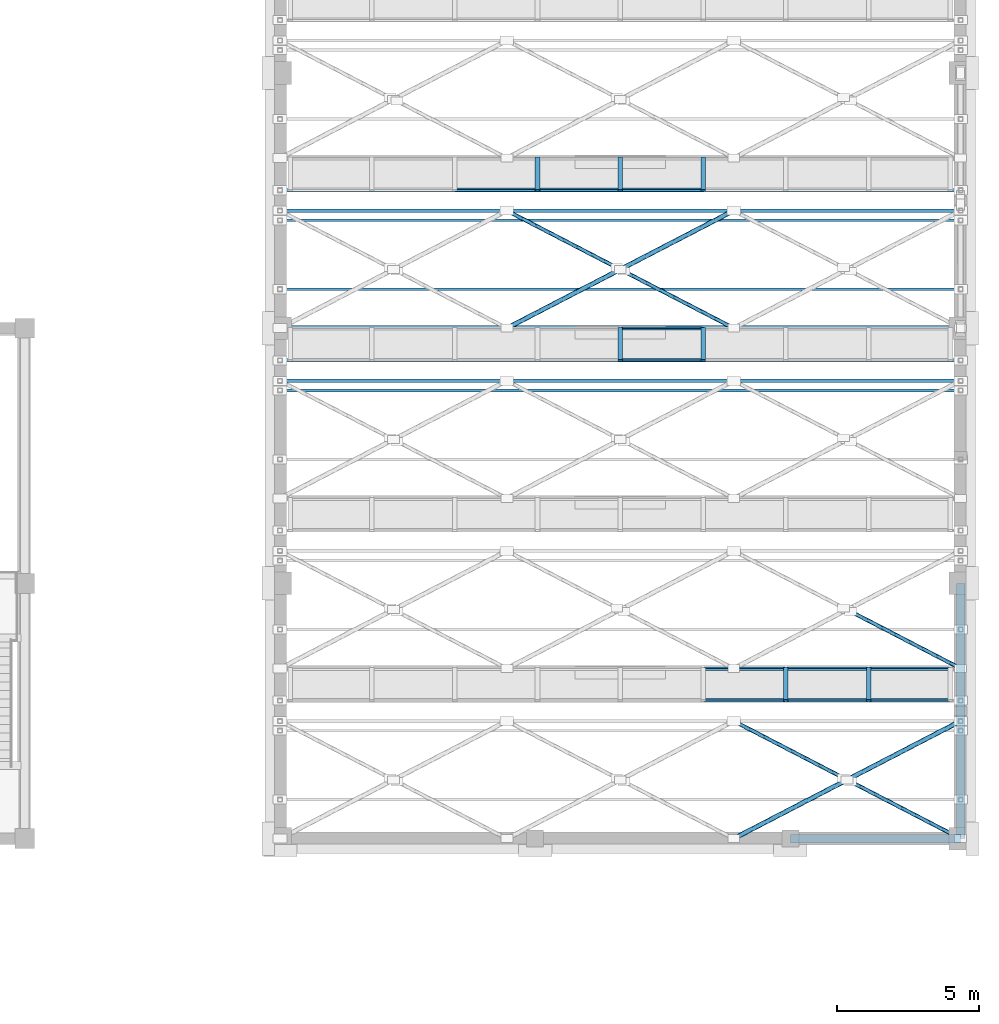
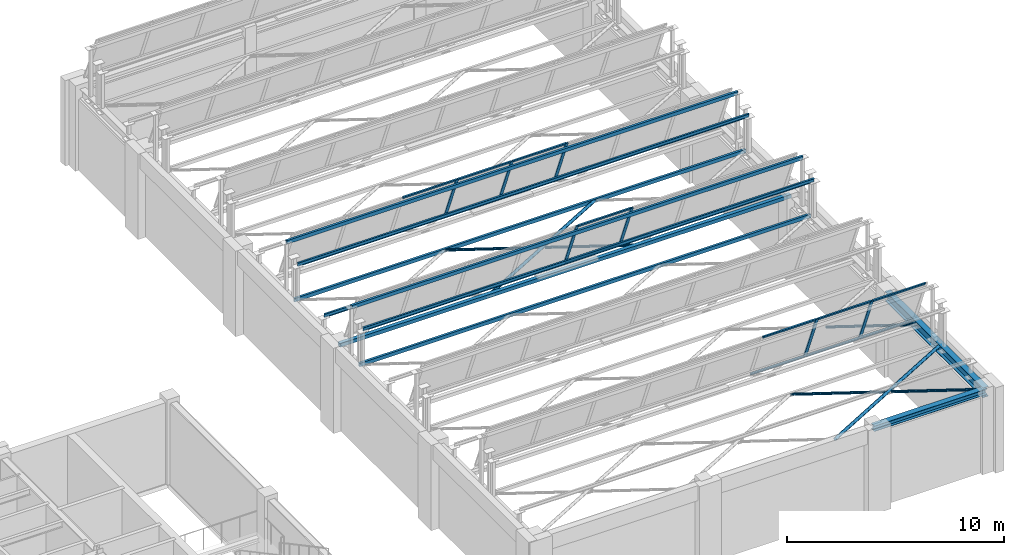
# One storey, part 55 of 98: 30 members, 5 beams, 3 elements without a shape of their own.
"""IFC4 building model written with IfcOpenShell, lengths in metres."""

from ifc_helpers import new_model, si_unit, direction, frame, origin, origin_2d, place, context, subcontext, project, spatial, hollow_rectangle, hollow_circle, i_section, extrude, material, material_profile, profile_set, type_object, element, aggregate, save


model = new_model("IFC4")

# Units and contexts
model_context = context("Model", 3, precision=1e-05, world=origin(), true_north=direction((0.0, 1.0)))
body_context = subcontext(model_context, "Body", "Model", "MODEL_VIEW")
ifc_project = project(units=[si_unit("LENGTHUNIT", "METRE"), si_unit("AREAUNIT", "SQUARE_METRE"), si_unit("VOLUMEUNIT", "CUBIC_METRE"), si_unit("PLANEANGLEUNIT", "RADIAN"), si_unit("MASSUNIT", "GRAM", prefix="KILO")], contexts=[model_context])

# Site, building, storey
site_placement = place(None, origin())
site = spatial("IfcSite", under=ifc_project, at=site_placement, CompositionType="ELEMENT")
building_placement = place(site_placement, origin())
building = spatial("IfcBuilding", under=site, at=building_placement, Name="Lykobir Media Centre", CompositionType="ELEMENT")
storey_placement = place(building_placement, frame((0.0, 0.0, 10.199951171875)))
storey = spatial("IfcBuildingStorey", under=building, at=storey_placement, Name="L02", CompositionType="ELEMENT", Elevation=10.199951171875)

# Beam
ifc_material_1 = material(Name="Steel S355", Category="steel")
ifc_material_profile_1 = material_profile(ifc_material_1, i_section(OverallWidth=0.300048828125, OverallDepth=0.550048828125, WebThickness=0.014892578125, FlangeThickness=0.029052734375, at=origin_2d()), Name="HEB 550")
ifc_profile_set_1 = profile_set([ifc_material_profile_1], Name="Steel S355")
beam_type_1 = type_object("IfcBeamType", Name="BM-HEB550-E", PredefinedType="BEAM", material=ifc_profile_set_1)
beam_1_placement = place(storey_placement, frame((168.0, 72.0, 4.275146484375), z_axis=(0.0, 1.0, 0.0), x_axis=(-1.0, 0.0, 0.0)))
element("IfcBeam", 1, at=beam_1_placement, inside=storey, type_object=beam_type_1, Name="Beam BM-L02-1680-0720-1680-0810-1448", PredefinedType="BEAM", context=body_context, shape_type="SweptSolid", body=[
    extrude(i_section(OverallWidth=0.300048828125, OverallDepth=0.550048828125, WebThickness=0.014892578125, FlangeThickness=0.029052734375, at=origin_2d()), origin(), (0.0, 0.0, 1.0), 9.0),
])

# Members
ifc_material_profile_2 = material_profile(ifc_material_1, hollow_circle(Radius=0.06982421875, WallThickness=0.008056640625, at=origin_2d()), Name="CHS 139.7x8.0")
ifc_profile_set_2 = profile_set([ifc_material_profile_2], Name="Steel S355")
member_type_1 = type_object("IfcMemberType", Name="BR-CHS140", PredefinedType="BRACE", material=ifc_profile_set_2)
member_1_placement = place(storey_placement, frame((168.0, 72.0, 4.43994140625), z_axis=(-0.887879780504, 0.460075532247, 0.0), x_axis=(-0.460075532247, -0.887879780504, 0.0)))
element("IfcMember", 2, at=member_1_placement, inside=storey, type_object=member_type_1, Name="Diagonal brace MEM2-L02-1680-0720-0146-1641-0740-0295", PredefinedType="BRACE", context=body_context, shape_type="SweptSolid", body=[
    extrude(hollow_circle(Radius=0.06982421875, WallThickness=0.008056640625, at=origin_2d()), origin(), (0.0, 0.0, 1.0), 4.365234375),
])
member_2_placement = place(storey_placement, frame((163.875732421875, 74.136962890625, 4.43994140625), z_axis=(-0.88790262671, 0.460031439666, 0.0), x_axis=(-0.460031439666, -0.88790262671, 0.0)))
element("IfcMember", 3, at=member_2_placement, inside=storey, type_object=member_type_1, Name="Diagonal brace MEM2-L02-1639-0741-0146-1600-0761-0296", PredefinedType="BRACE", context=body_context, shape_type="SweptSolid", body=[
    extrude(hollow_circle(Radius=0.06982421875, WallThickness=0.008056640625, at=origin_2d()), origin(), (0.0, 0.0, 1.0), 4.364990234375),
])
for number, where, z_axis, x_axis, name in (
    (4, (168.0, 78.0, 4.43994140625), (-0.887879780504, 0.460075532247, 0.0), (-0.460075532247, -0.887879780504, 0.0), "Diagonal brace MEM2-L02-1680-0780-0146-1641-0800-0315"),
    (5, (160.0, 90.0, 4.43994140625), (-0.887879780504, 0.460075532247, 0.0), (-0.460075532247, -0.887879780504, 0.0), "Diagonal brace MEM2-L02-1600-0900-0146-1561-0920-0352"),
):
    element("IfcMember", number, at=place(storey_placement, frame(where, z_axis=z_axis, x_axis=x_axis)), inside=storey, type_object=member_type_1, Name=name, PredefinedType="BRACE", context=body_context, shape_type="SweptSolid", body=[
        extrude(hollow_circle(Radius=0.06982421875, WallThickness=0.008056640625, at=origin_2d()), origin(), (0.0, 0.0, 1.0), 4.365234375),
    ])
member_3_placement = place(storey_placement, frame((155.875732421875, 92.136962890625, 4.43994140625), z_axis=(-0.88790262671, 0.460031439666, 0.0), x_axis=(-0.460031439666, -0.88790262671, 0.0)))
element("IfcMember", 6, at=member_3_placement, inside=storey, type_object=member_type_1, Name="Diagonal brace MEM2-L02-1559-0921-0146-1520-0941-0353", PredefinedType="BRACE", context=body_context, shape_type="SweptSolid", body=[
    extrude(hollow_circle(Radius=0.06982421875, WallThickness=0.008056640625, at=origin_2d()), origin(), (0.0, 0.0, 1.0), 4.364990234375),
])
ifc_material_profile_3 = material_profile(ifc_material_1, hollow_circle(Radius=0.084228515625, WallThickness=0.010009765625, at=origin_2d()), Name="CHS 168.3x10.0")
ifc_profile_set_3 = profile_set([ifc_material_profile_3], Name="Steel S355")
member_type_2 = type_object("IfcMemberType", Name="BR-CHS168", PredefinedType="BRACE", material=ifc_profile_set_3)
for number, where, z_axis, x_axis, name in (
    (7, (160.0, 72.0, 4.43994140625), (0.887896386773, 0.460043483113, 0.0), (-0.460043483113, 0.887896386773, 0.0), "Diagonal brace MEM2-L02-1600-0720-0146-1680-0761-0294"),
    (8, (152.0, 90.0, 4.43994140625), (0.887896386773, 0.460043483113, 0.0), (-0.460043483113, 0.887896386773, 0.0), "Diagonal brace MEM2-L02-1520-0900-0146-1600-0941-0351"),
):
    element("IfcMember", number, at=place(storey_placement, frame(where, z_axis=z_axis, x_axis=x_axis)), inside=storey, type_object=member_type_2, Name=name, PredefinedType="BRACE", context=body_context, shape_type="SweptSolid", body=[
        extrude(hollow_circle(Radius=0.084228515625, WallThickness=0.010009765625, at=origin_2d()), origin(), (0.0, 0.0, 1.0), 9.010009765625),
    ])

# Curtain wall, members
ifc_material_2 = material(Name="Anodized Aluminium AW-6060", Category="aluminium")
curtain_wall_type = type_object("IfcCurtainWallType", Name="CW-NL-V2", PredefinedType="NOTDEFINED", material=ifc_material_2)
curtain_wall_1_placement = place(storey_placement, origin())
curtain_wall_1 = element("IfcCurtainWall", 9, at=curtain_wall_1_placement, inside=storey, type_object=curtain_wall_type, Name="Curtain wall CW-NL-V2-01", PredefinedType="NOTDEFINED")
ifc_material_profile_4 = material_profile(ifc_material_2, hollow_rectangle(XDim=0.070068359375, YDim=0.1650390625, WallThickness=0.00390625, at=origin_2d()), Name="ALU MULLION 70x165")
ifc_profile_set_4 = profile_set([ifc_material_profile_4], Name="Anodized Aluminium AW-6060")
member_type_3 = type_object("IfcMemberType", Name="CWM-165", PredefinedType="MULLION", material=ifc_profile_set_4)
member_4_placement = place(storey_placement, frame((161.840087890625, 78.0, 4.800048828125), z_axis=(0.0, -0.374653582974, 0.927164868168), x_axis=(0.0, 0.927164868168, 0.374653582974)))
member_4 = element("IfcMember", 10, at=member_4_placement, type_object=member_type_3, Name="CW-NL-V2-01 mullion 7", PredefinedType="MULLION", context=body_context, shape_type="SweptSolid", body=[
    extrude(hollow_rectangle(XDim=0.070068359375, YDim=0.1650390625, WallThickness=0.00390625, at=origin_2d()), origin(), (0.0, 0.0, 1.0), 3.029541015625),
])
member_5_placement = place(storey_placement, frame((164.760009765625, 78.0, 4.800048828125), z_axis=(0.0, -0.374653582974, 0.927164868168), x_axis=(0.0, 0.927164868168, 0.374653582974)))
member_5 = element("IfcMember", 11, at=member_5_placement, type_object=member_type_3, Name="CW-NL-V2-01 mullion 8", PredefinedType="MULLION", context=body_context, shape_type="SweptSolid", body=[
    extrude(hollow_rectangle(XDim=0.070068359375, YDim=0.1650390625, WallThickness=0.00390625, at=origin_2d()), origin(), (0.0, 0.0, 1.0), 3.029541015625),
])

curtain_wall_2_placement = place(storey_placement, origin())
curtain_wall_2 = element("IfcCurtainWall", 12, at=curtain_wall_2_placement, inside=storey, type_object=curtain_wall_type, Name="Curtain wall CW-NL-V2-03", PredefinedType="NOTDEFINED")
member_6_placement = place(storey_placement, frame((156.0, 90.0, 4.800048828125), z_axis=(0.0, -0.374653582974, 0.927164868168), x_axis=(0.0, 0.927164868168, 0.374653582974)))
member_6 = element("IfcMember", 13, at=member_6_placement, type_object=member_type_3, Name="CW-NL-V2-03 mullion 5", PredefinedType="MULLION", context=body_context, shape_type="SweptSolid", body=[
    extrude(hollow_rectangle(XDim=0.070068359375, YDim=0.1650390625, WallThickness=0.00390625, at=origin_2d()), origin(), (0.0, 0.0, 1.0), 3.029541015625),
])
member_7_placement = place(storey_placement, frame((158.919921875, 90.0, 4.800048828125), z_axis=(0.0, -0.374653582974, 0.927164868168), x_axis=(0.0, 0.927164868168, 0.374653582974)))
member_7 = element("IfcMember", 14, at=member_7_placement, type_object=member_type_3, Name="CW-NL-V2-03 mullion 6", PredefinedType="MULLION", context=body_context, shape_type="SweptSolid", body=[
    extrude(hollow_rectangle(XDim=0.070068359375, YDim=0.1650390625, WallThickness=0.00390625, at=origin_2d()), origin(), (0.0, 0.0, 1.0), 3.029541015625),
])

curtain_wall_3_placement = place(storey_placement, origin())
curtain_wall_3 = element("IfcCurtainWall", 15, at=curtain_wall_3_placement, inside=storey, type_object=curtain_wall_type, Name="Curtain wall CW-NL-V2-04", PredefinedType="NOTDEFINED")
member_8_placement = place(storey_placement, frame((153.080078125, 96.0, 4.800048828125), z_axis=(0.0, -0.374653582974, 0.927164868168), x_axis=(0.0, 0.927164868168, 0.374653582974)))
member_8 = element("IfcMember", 16, at=member_8_placement, type_object=member_type_3, Name="CW-NL-V2-04 mullion 4", PredefinedType="MULLION", context=body_context, shape_type="SweptSolid", body=[
    extrude(hollow_rectangle(XDim=0.070068359375, YDim=0.1650390625, WallThickness=0.00390625, at=origin_2d()), origin(), (0.0, 0.0, 1.0), 3.029541015625),
])
member_9_placement = place(storey_placement, frame((156.0, 96.0, 4.800048828125), z_axis=(0.0, -0.374653582974, 0.927164868168), x_axis=(0.0, 0.927164868168, 0.374653582974)))
member_9 = element("IfcMember", 17, at=member_9_placement, type_object=member_type_3, Name="CW-NL-V2-04 mullion 5", PredefinedType="MULLION", context=body_context, shape_type="SweptSolid", body=[
    extrude(hollow_rectangle(XDim=0.070068359375, YDim=0.1650390625, WallThickness=0.00390625, at=origin_2d()), origin(), (0.0, 0.0, 1.0), 3.029541015625),
])
member_10_placement = place(storey_placement, frame((158.919921875, 96.0, 4.800048828125), z_axis=(0.0, -0.374653582974, 0.927164868168), x_axis=(0.0, 0.927164868168, 0.374653582974)))
member_10 = element("IfcMember", 18, at=member_10_placement, type_object=member_type_3, Name="CW-NL-V2-04 mullion 6", PredefinedType="MULLION", context=body_context, shape_type="SweptSolid", body=[
    extrude(hollow_rectangle(XDim=0.070068359375, YDim=0.1650390625, WallThickness=0.00390625, at=origin_2d()), origin(), (0.0, 0.0, 1.0), 3.029541015625),
])

# Member
ifc_material_profile_5 = material_profile(ifc_material_2, hollow_rectangle(XDim=0.070068359375, YDim=0.135009765625, WallThickness=0.00341796875, at=origin_2d()), Name="ALU TRANSOM 70x135")
ifc_profile_set_5 = profile_set([ifc_material_profile_5], Name="Anodized Aluminium AW-6060")
member_type_4 = type_object("IfcMemberType", Name="CWT-135", PredefinedType="USERDEFINED", material=ifc_profile_set_5)
member_11_placement = place(storey_placement, frame((158.955078125, 77.98681640625, 4.83251953125), z_axis=(1.0, 0.0, 0.0), x_axis=(0.0, 0.927183854567, 0.374606593416)))
member_11 = element("IfcMember", 19, at=member_11_placement, type_object=member_type_4, Name="CW-NL-V2-01 transom 6.1", ObjectType="TRANSOM", PredefinedType="USERDEFINED", context=body_context, shape_type="SweptSolid", body=[
    extrude(hollow_rectangle(XDim=0.070068359375, YDim=0.135009765625, WallThickness=0.00341796875, at=origin_2d()), origin(), (0.0, 0.0, 1.0), 2.849853515625),
])

member_12_placement = place(storey_placement, frame((158.955078125, 76.878173828125, 7.57666015625), z_axis=(1.0, 0.0, 0.0), x_axis=(0.0, 0.927183854567, 0.374606593416)))
member_12 = element("IfcMember", 20, at=member_12_placement, type_object=member_type_4, Name="CW-NL-V2-01 transom 6.2", ObjectType="TRANSOM", PredefinedType="USERDEFINED", context=body_context, shape_type="SweptSolid", body=[
    extrude(hollow_rectangle(XDim=0.070068359375, YDim=0.135009765625, WallThickness=0.00341796875, at=origin_2d()), origin(), (0.0, 0.0, 1.0), 2.849853515625),
])

member_13_placement = place(storey_placement, frame((161.875, 77.98681640625, 4.83251953125), z_axis=(1.0, 0.0, 0.0), x_axis=(0.0, 0.927183854567, 0.374606593416)))
member_13 = element("IfcMember", 21, at=member_13_placement, type_object=member_type_4, Name="CW-NL-V2-01 transom 7.1", ObjectType="TRANSOM", PredefinedType="USERDEFINED", context=body_context, shape_type="SweptSolid", body=[
    extrude(hollow_rectangle(XDim=0.070068359375, YDim=0.135009765625, WallThickness=0.00341796875, at=origin_2d()), origin(), (0.0, 0.0, 1.0), 2.85009765625),
])

member_14_placement = place(storey_placement, frame((161.875, 76.878173828125, 7.57666015625), z_axis=(1.0, 0.0, 0.0), x_axis=(0.0, 0.927183854567, 0.374606593416)))
member_14 = element("IfcMember", 22, at=member_14_placement, type_object=member_type_4, Name="CW-NL-V2-01 transom 7.2", ObjectType="TRANSOM", PredefinedType="USERDEFINED", context=body_context, shape_type="SweptSolid", body=[
    extrude(hollow_rectangle(XDim=0.070068359375, YDim=0.135009765625, WallThickness=0.00341796875, at=origin_2d()), origin(), (0.0, 0.0, 1.0), 2.85009765625),
])

member_15_placement = place(storey_placement, frame((164.794921875, 77.98681640625, 4.83251953125), z_axis=(1.0, 0.0, 0.0), x_axis=(0.0, 0.927183854567, 0.374606593416)))
member_15 = element("IfcMember", 23, at=member_15_placement, type_object=member_type_4, Name="CW-NL-V2-01 transom 8.1", ObjectType="TRANSOM", PredefinedType="USERDEFINED", context=body_context, shape_type="SweptSolid", body=[
    extrude(hollow_rectangle(XDim=0.070068359375, YDim=0.135009765625, WallThickness=0.00341796875, at=origin_2d()), origin(), (0.0, 0.0, 1.0), 2.815185546875),
])

member_16_placement = place(storey_placement, frame((164.794921875, 76.878173828125, 7.57666015625), z_axis=(1.0, 0.0, 0.0), x_axis=(0.0, 0.927183854567, 0.374606593416)))
member_16 = element("IfcMember", 24, at=member_16_placement, type_object=member_type_4, Name="CW-NL-V2-01 transom 8.2", ObjectType="TRANSOM", PredefinedType="USERDEFINED", context=body_context, shape_type="SweptSolid", body=[
    extrude(hollow_rectangle(XDim=0.070068359375, YDim=0.135009765625, WallThickness=0.00341796875, at=origin_2d()), origin(), (0.0, 0.0, 1.0), 2.815185546875),
])

aggregate(curtain_wall_1, [member_4, member_5, member_11, member_12, member_13, member_14, member_15, member_16])

member_17_placement = place(storey_placement, frame((156.034912109375, 89.98681640625, 4.83251953125), z_axis=(1.0, 0.0, 0.0), x_axis=(0.0, 0.927183854567, 0.374606593416)))
member_17 = element("IfcMember", 25, at=member_17_placement, type_object=member_type_4, Name="CW-NL-V2-03 transom 5.1", ObjectType="TRANSOM", PredefinedType="USERDEFINED", context=body_context, shape_type="SweptSolid", body=[
    extrude(hollow_rectangle(XDim=0.070068359375, YDim=0.135009765625, WallThickness=0.00341796875, at=origin_2d()), origin(), (0.0, 0.0, 1.0), 2.85009765625),
])

member_18_placement = place(storey_placement, frame((156.034912109375, 88.878173828125, 7.57666015625), z_axis=(1.0, 0.0, 0.0), x_axis=(0.0, 0.927183854567, 0.374606593416)))
member_18 = element("IfcMember", 26, at=member_18_placement, type_object=member_type_4, Name="CW-NL-V2-03 transom 5.2", ObjectType="TRANSOM", PredefinedType="USERDEFINED", context=body_context, shape_type="SweptSolid", body=[
    extrude(hollow_rectangle(XDim=0.070068359375, YDim=0.135009765625, WallThickness=0.00341796875, at=origin_2d()), origin(), (0.0, 0.0, 1.0), 2.85009765625),
])

aggregate(curtain_wall_2, [member_6, member_7, member_17, member_18])

member_19_placement = place(storey_placement, frame((150.195068359375, 94.878173828125, 7.57666015625), z_axis=(1.0, 0.0, 0.0), x_axis=(0.0, 0.927183854567, 0.374606593416)))
member_19 = element("IfcMember", 27, at=member_19_placement, type_object=member_type_4, Name="CW-NL-V2-04 transom 3.2", ObjectType="TRANSOM", PredefinedType="USERDEFINED", context=body_context, shape_type="SweptSolid", body=[
    extrude(hollow_rectangle(XDim=0.070068359375, YDim=0.135009765625, WallThickness=0.00341796875, at=origin_2d()), origin(), (0.0, 0.0, 1.0), 2.849853515625),
])

member_20_placement = place(storey_placement, frame((153.114990234375, 94.878173828125, 7.57666015625), z_axis=(1.0, 0.0, 0.0), x_axis=(0.0, 0.927183854567, 0.374606593416)))
member_20 = element("IfcMember", 28, at=member_20_placement, type_object=member_type_4, Name="CW-NL-V2-04 transom 4.2", ObjectType="TRANSOM", PredefinedType="USERDEFINED", context=body_context, shape_type="SweptSolid", body=[
    extrude(hollow_rectangle(XDim=0.070068359375, YDim=0.135009765625, WallThickness=0.00341796875, at=origin_2d()), origin(), (0.0, 0.0, 1.0), 2.85009765625),
])

member_21_placement = place(storey_placement, frame((156.034912109375, 94.878173828125, 7.57666015625), z_axis=(1.0, 0.0, 0.0), x_axis=(0.0, 0.927183854567, 0.374606593416)))
member_21 = element("IfcMember", 29, at=member_21_placement, type_object=member_type_4, Name="CW-NL-V2-04 transom 5.2", ObjectType="TRANSOM", PredefinedType="USERDEFINED", context=body_context, shape_type="SweptSolid", body=[
    extrude(hollow_rectangle(XDim=0.070068359375, YDim=0.135009765625, WallThickness=0.00341796875, at=origin_2d()), origin(), (0.0, 0.0, 1.0), 2.85009765625),
])

aggregate(curtain_wall_3, [member_8, member_9, member_10, member_19, member_20, member_21])

# Beams
ifc_material_profile_6 = material_profile(ifc_material_1, i_section(OverallWidth=0.10009765625, OverallDepth=0.199951171875, WebThickness=0.005615234375, FlangeThickness=0.008544921875, at=origin_2d()), Name="IPE 200")
ifc_profile_set_6 = profile_set([ifc_material_profile_6], Name="Steel S355")
beam_type_2 = type_object("IfcBeamType", Name="PR-IPE200", PredefinedType="JOIST", material=ifc_profile_set_6)
for number, where, z_axis, x_axis, name in (
    (30, (144.0, 87.805908203125, 6.634765625), (1.0, 0.0, 0.0), (0.0, 1.0, 0.0), "Beam BM-L02-1440-0878-1680-0878-1683"),
    (31, (144.0, 91.373291015625, 5.23046875), (1.0, 0.0, 0.0), (0.0, 1.0, 0.0), "Beam BM-L02-1440-0914-1680-0914-1543"),
    (32, (144.0, 93.805908203125, 6.634765625), (1.0, 0.0, 0.0), (0.0, 1.0, 0.0), "Beam BM-L02-1440-0938-1680-0938-1683"),
):
    element("IfcBeam", number, at=place(storey_placement, frame(where, z_axis=z_axis, x_axis=x_axis)), inside=storey, type_object=beam_type_2, Name=name, PredefinedType="JOIST", context=body_context, shape_type="SweptSolid", body=[
        extrude(i_section(OverallWidth=0.10009765625, OverallDepth=0.199951171875, WebThickness=0.005615234375, FlangeThickness=0.008544921875, at=origin_2d()), origin(), (0.0, 0.0, 1.0), 24.0),
    ])
ifc_material_profile_7 = material_profile(ifc_material_1, i_section(OverallWidth=0.300048828125, OverallDepth=0.31005859375, WebThickness=0.009033203125, FlangeThickness=0.015380859375, at=origin_2d()), Name="HEA 320")
ifc_profile_set_7 = profile_set([ifc_material_profile_7], Name="Steel S355")
beam_type_3 = type_object("IfcBeamType", Name="SP-HEA320", PredefinedType="SPANDREL", material=ifc_profile_set_7)
beam_2_placement = place(storey_placement, frame((162.0, 72.0, 4.39501953125), z_axis=(1.0, 0.0, 0.0), x_axis=(0.0, 1.0, 0.0)))
element("IfcBeam", 33, at=beam_2_placement, inside=storey, type_object=beam_type_3, Name="Beam BM-L02-1620-0720-1680-0720-1460", PredefinedType="SPANDREL", context=body_context, shape_type="SweptSolid", body=[
    extrude(i_section(OverallWidth=0.300048828125, OverallDepth=0.31005859375, WebThickness=0.009033203125, FlangeThickness=0.015380859375, at=origin_2d()), origin(), (0.0, 0.0, 1.0), 6.0),
])

# Members
ifc_material_profile_8 = material_profile(ifc_material_1, hollow_rectangle(XDim=0.1201171875, YDim=0.199951171875, WallThickness=0.010009765625, at=origin_2d()), Name="RHS 200x120x10")
ifc_profile_set_8 = profile_set([ifc_material_profile_8], Name="Steel S355")
member_type_5 = type_object("IfcMemberType", Name="TC-RHS200", PredefinedType="CHORD", material=ifc_profile_set_8)
for number, where, z_axis, x_axis, name in (
    (34, (144.0, 88.864990234375, 7.259033203125), (1.0, 0.0, 0.0), (0.0, 1.0, 0.0), "Truss chord MEM2-L02-1440-0889-0175-1680-0889-0326"),
    (35, (144.0, 88.14501953125, 4.43994140625), (1.0, 0.0, 0.0), (0.0, 1.0, 0.0), "Truss chord MEM2-L02-1440-0881-0146-1680-0881-0327"),
    (36, (144.0, 94.864990234375, 7.259033203125), (1.0, 0.0, 0.0), (0.0, 1.0, 0.0), "Truss chord MEM2-L02-1440-0949-0175-1680-0949-0346"),
    (37, (144.0, 94.14501953125, 4.43994140625), (1.0, 0.0, 0.0), (0.0, 1.0, 0.0), "Truss chord MEM2-L02-1440-0941-0146-1680-0941-0347"),
):
    element("IfcMember", number, at=place(storey_placement, frame(where, z_axis=z_axis, x_axis=x_axis)), inside=storey, type_object=member_type_5, Name=name, PredefinedType="CHORD", context=body_context, shape_type="SweptSolid", body=[
        extrude(hollow_rectangle(XDim=0.1201171875, YDim=0.199951171875, WallThickness=0.010009765625, at=origin_2d()), origin(), (0.0, 0.0, 1.0), 24.0),
    ])
ifc_material_profile_9 = material_profile(ifc_material_1, hollow_rectangle(XDim=0.199951171875, YDim=0.199951171875, WallThickness=0.010009765625, at=origin_2d()), Name="SHS 200x200x10")
ifc_profile_set_9 = profile_set([ifc_material_profile_9], Name="Steel S355")
member_type_6 = type_object("IfcMemberType", Name="TC-SHS200", PredefinedType="CHORD", material=ifc_profile_set_9)
member_22_placement = place(storey_placement, frame((144.0, 90.0, 4.43994140625), z_axis=(1.0, 0.0, 0.0), x_axis=(0.0, 1.0, 0.0)))
element("IfcMember", 38, at=member_22_placement, inside=storey, type_object=member_type_6, Name="Truss chord MEM2-L02-1440-0900-0146-1680-0900-0341", PredefinedType="CHORD", context=body_context, shape_type="SweptSolid", body=[
    extrude(hollow_rectangle(XDim=0.199951171875, YDim=0.199951171875, WallThickness=0.010009765625, at=origin_2d()), origin(), (0.0, 0.0, 1.0), 24.0),
])

save(model, "model.ifc")
